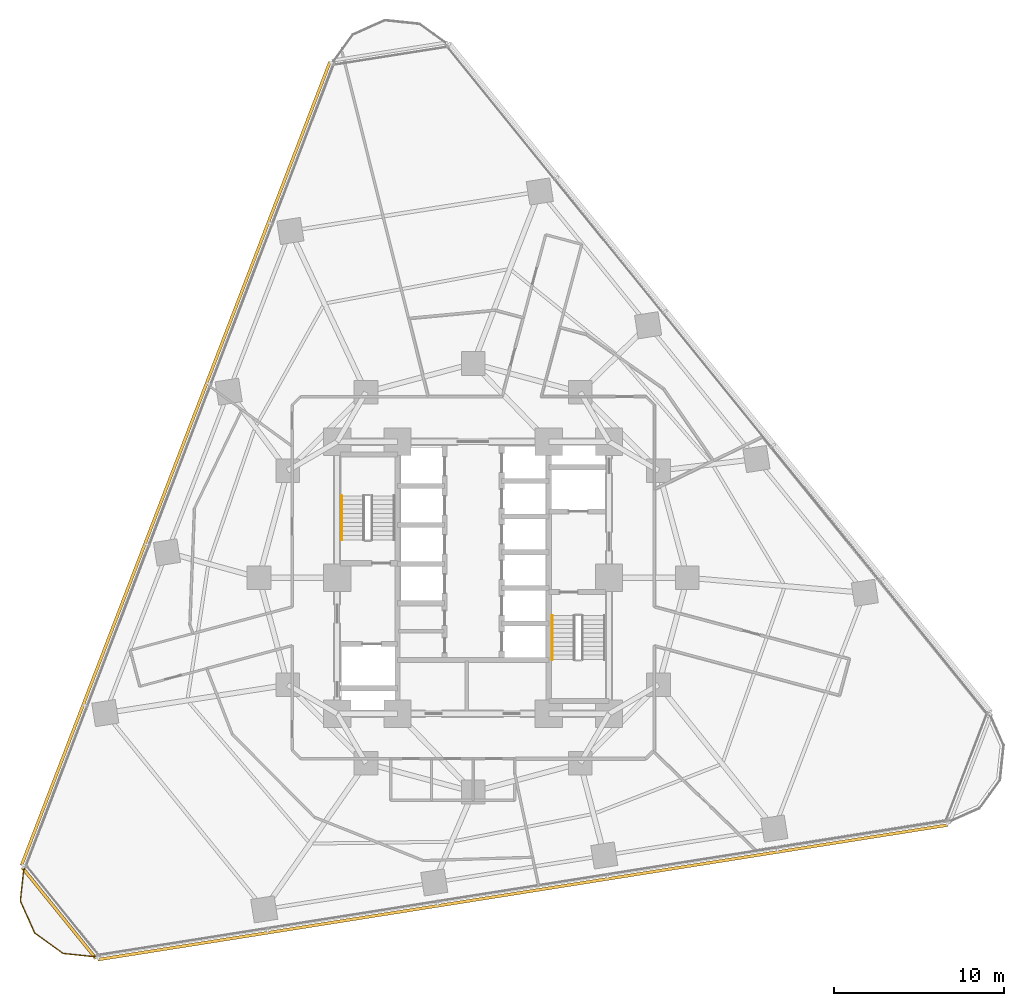
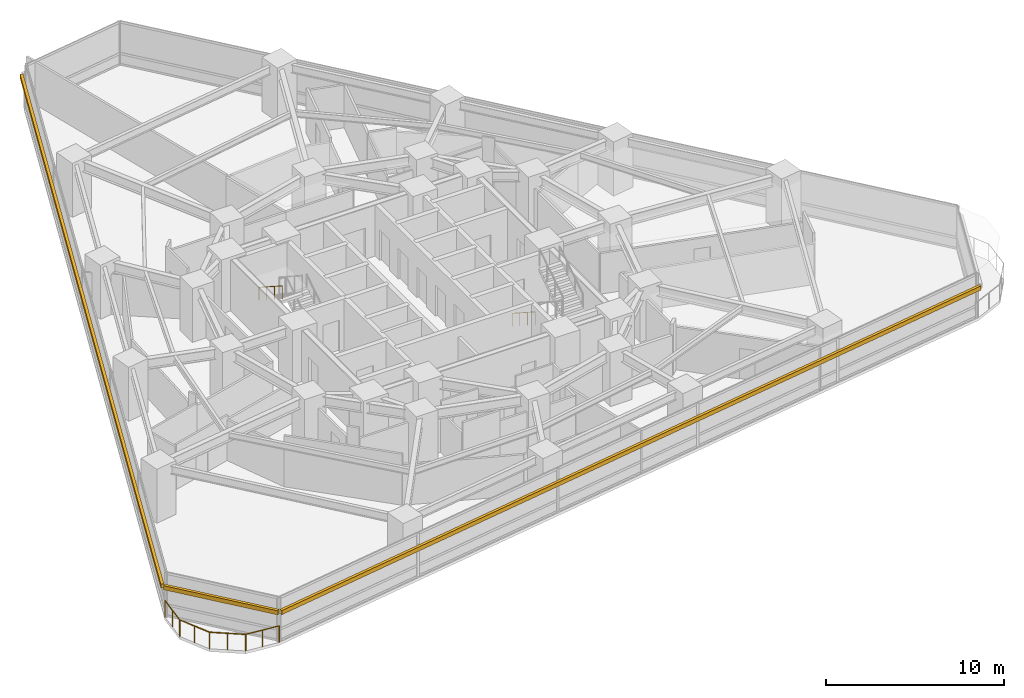
# One storey, part 12 of 14: 3 railings, 3 shading devices.
"""IFC4 building model written with IfcOpenShell, lengths in metres."""

from ifc_helpers import new_model, si_unit, direction, frame, origin, origin_2d, place, context, subcontext, project, spatial, rectangle, circle, extrude, material, layer, layer_set, type_object, element, save


model = new_model("IFC4")

# Units and contexts
model_context = context("Model", 3, precision=1e-05, world=origin(), true_north=direction((0.0, 1.0)))
body_context = subcontext(model_context, "Body", "Model", "MODEL_VIEW")
ifc_project = project(units=[si_unit("LENGTHUNIT", "METRE"), si_unit("AREAUNIT", "SQUARE_METRE"), si_unit("VOLUMEUNIT", "CUBIC_METRE"), si_unit("PLANEANGLEUNIT", "RADIAN"), si_unit("MASSUNIT", "GRAM", prefix="KILO")], contexts=[model_context])

# Site, building, storey
site_placement = place(None, origin())
site = spatial("IfcSite", under=ifc_project, at=site_placement, CompositionType="ELEMENT")
building_placement = place(site_placement, origin())
building = spatial("IfcBuilding", under=site, at=building_placement, Name="Terralouvre Media Tower", CompositionType="ELEMENT")
storey_placement = place(building_placement, frame((0.0, 0.0, 66.699951171875)))
storey = spatial("IfcBuildingStorey", under=building, at=storey_placement, Name="L16", CompositionType="ELEMENT", Elevation=66.699951171875)

# Railings
ifc_material_1 = material(Name="Stainless steel 316 handrail and balustrade", Category="steel")
ifc_layer_1 = layer(ifc_material_1, 0.06005859375, Name="Roof Edge Safety Guardrail GR-ROOF1")
ifc_layer_set_1 = layer_set([ifc_layer_1], Name="Stainless steel 316 handrail and balustrade")
railing_type_1 = type_object("IfcRailingType", Name="Roof Edge Safety Guardrail GR-ROOF1", PredefinedType="GUARDRAIL", material=ifc_layer_set_1)
railing_1_placement = place(storey_placement, frame((-26.424560546875, -16.965087890625, 0.0)))
element("IfcRailing", 1, at=railing_1_placement, inside=storey, type_object=railing_type_1, Name="L16 Wind-Corner Perimeter Safety Guardrail C0", PredefinedType="GUARDRAIL", context=body_context, shape_type="SweptSolid", body=[
    extrude(circle(Radius=0.02099609375, at=origin_2d()), frame((0.0, 0.0, 1.12890625), z_axis=(-0.104666273578, -0.994507401267, 0.0), x_axis=(0.994507401267, -0.104666273578, 0.0)), (0.0, 0.0, 1.0), 2.0595703125),
    extrude(circle(Radius=0.02099609375, at=origin_2d()), frame((-0.215576171875, -2.04833984375, 1.12890625), z_axis=(0.406644402356, -0.913586520278, 0.0), x_axis=(0.913586520278, 0.406644402356, 0.0)), (0.0, 0.0, 1.0), 2.059326171875),
    extrude(circle(Radius=0.02099609375, at=origin_2d()), frame((0.621826171875, -3.9296875, 1.12890625), z_axis=(0.809069210714, -0.587713375954, 0.0), x_axis=(0.587713375954, 0.809069210714, 0.0)), (0.0, 0.0, 1.0), 2.05908203125),
    extrude(circle(Radius=0.02099609375, at=origin_2d()), frame((2.287841796875, -5.139892578125, 1.12890625), z_axis=(0.994544355817, -0.104314545068, 0.0), x_axis=(0.104314545068, 0.994544355817, 0.0)), (0.0, 0.0, 1.0), 2.0595703125),
    extrude(circle(Radius=0.01904296875, at=origin_2d()), origin(), (0.0, 0.0, 1.0), 1.10791015625),
    extrude(circle(Radius=0.01904296875, at=origin_2d()), frame((-0.10791015625, -1.024169921875, 0.0)), (0.0, 0.0, 1.0), 1.10791015625),
    extrude(circle(Radius=0.01904296875, at=origin_2d()), frame((-0.215576171875, -2.04833984375, 0.0)), (0.0, 0.0, 1.0), 1.10791015625),
    extrude(circle(Radius=0.01904296875, at=origin_2d()), frame((0.203125, -2.989013671875, 0.0)), (0.0, 0.0, 1.0), 1.10791015625),
    extrude(circle(Radius=0.01904296875, at=origin_2d()), frame((0.621826171875, -3.9296875, 0.0)), (0.0, 0.0, 1.0), 1.10791015625),
    extrude(circle(Radius=0.01904296875, at=origin_2d()), frame((1.454833984375, -4.53466796875, 0.0)), (0.0, 0.0, 1.0), 1.10791015625),
    extrude(circle(Radius=0.01904296875, at=origin_2d()), frame((2.287841796875, -5.139892578125, 0.0)), (0.0, 0.0, 1.0), 1.10791015625),
    extrude(circle(Radius=0.01904296875, at=origin_2d()), frame((3.31201171875, -5.247314453125, 0.0)), (0.0, 0.0, 1.0), 1.10791015625),
    extrude(circle(Radius=0.01904296875, at=origin_2d()), frame((4.336181640625, -5.354736328125, 0.0)), (0.0, 0.0, 1.0), 1.10791015625),
])
ifc_material_2 = material(Name="Stainless steel 316 handrail and balustrade", Category="steel")
ifc_layer_2 = layer(ifc_material_2, 0.050048828125, Name="Stair Flight Wall Handrail HR-INT1")
ifc_layer_set_2 = layer_set([ifc_layer_2], Name="Stainless steel 316 handrail and balustrade")
railing_type_2 = type_object("IfcRailingType", Name="Stair Flight Wall Handrail HR-INT1", PredefinedType="HANDRAIL", material=ifc_layer_set_2)
railing_2_placement = place(storey_placement, frame((-7.72998046875, 4.820068359375, 2.018310546875)))
element("IfcRailing", 2, at=railing_2_placement, inside=storey, type_object=railing_type_2, Name="L16 ST-01 stair handrail 2", PredefinedType="HANDRAIL", context=body_context, shape_type="SweptSolid", body=[
    extrude(circle(Radius=0.02392578125, at=origin_2d()), frame((0.0, 0.0, 0.8759765625), z_axis=(0.0, -0.839684365666, 0.543074733399), x_axis=(1.0, 0.0, 0.0)), (0.0, 0.0, 1.0), 3.096435546875),
    extrude(circle(Radius=0.02099609375, at=origin_2d()), origin(), (0.0, 0.0, 1.0), 0.851806640625),
    extrude(circle(Radius=0.02099609375, at=origin_2d()), frame((0.0, -0.86669921875, 0.560546875)), (0.0, 0.0, 1.0), 0.851806640625),
    extrude(circle(Radius=0.02099609375, at=origin_2d()), frame((0.0, -1.7333984375, 1.12109375)), (0.0, 0.0, 1.0), 0.851806640625),
    extrude(circle(Radius=0.02099609375, at=origin_2d()), frame((0.0, -2.60009765625, 1.681640625)), (0.0, 0.0, 1.0), 0.851806640625),
])
railing_3_placement = place(storey_placement, frame((4.64990234375, -2.219970703125, 0.168212890625)))
element("IfcRailing", 3, at=railing_3_placement, inside=storey, type_object=railing_type_2, Name="L16 ST-02 stair handrail 1", PredefinedType="HANDRAIL", context=body_context, shape_type="SweptSolid", body=[
    extrude(circle(Radius=0.02392578125, at=origin_2d()), frame((0.0, 0.0, 0.8759765625), z_axis=(0.0, -0.839648411786, 0.543130320075), x_axis=(1.0, 0.0, 0.0)), (0.0, 0.0, 1.0), 3.0966796875),
    extrude(circle(Radius=0.02099609375, at=origin_2d()), origin(), (0.0, 0.0, 1.0), 0.851806640625),
    extrude(circle(Radius=0.02099609375, at=origin_2d()), frame((0.0, -0.86669921875, 0.560546875)), (0.0, 0.0, 1.0), 0.851806640625),
    extrude(circle(Radius=0.02099609375, at=origin_2d()), frame((0.0, -1.7333984375, 1.121337890625)), (0.0, 0.0, 1.0), 0.851806640625),
    extrude(circle(Radius=0.02099609375, at=origin_2d()), frame((0.0, -2.60009765625, 1.681884765625)), (0.0, 0.0, 1.0), 0.851806640625),
])

# Shading devices
ifc_material_3 = material(Name="Extruded terracotta baguette sunshade louvres", Category="masonry")
shading_device_type = type_object("IfcShadingDeviceType", Name="Terracotta Baguette Sunshade Louvre Screen TB-LV1", PredefinedType="USERDEFINED", material=ifc_material_3)
for number, where, z_axis, x_axis, name in (
    (4, (2.931396484375, -18.5078125, 2.02392578125), (0.0, 0.0, 1.0), (0.987688340934, 0.156434462903, 0.0), "CW-L16-F0 Terracotta Baguette Sunshade Louvre"),
    (5, (-17.493896484375, 6.71533203125, 2.02392578125), (0.0, 0.0, 1.0), (-0.358367917006, -0.933580438988, 0.0), "CW-L16-F2 Terracotta Baguette Sunshade Louvre"),
):
    element("IfcShadingDevice", number, at=place(storey_placement, frame(where, z_axis=z_axis, x_axis=x_axis)), inside=storey, type_object=shading_device_type, Name=name, ObjectType="BAGUETTE", PredefinedType="USERDEFINED", context=body_context, shape_type="SweptSolid", body=[
        extrude(rectangle(XDim=50.639892578125, YDim=0.179931640625, at=origin_2d()), origin(), (0.0, 0.0, 1.0), 0.280029296875),
    ])
shading_device_placement = place(storey_placement, frame((-24.361328125, -19.727294921875, 2.02392578125), z_axis=(0.0, 0.0, 1.0), x_axis=(0.629320031936, -0.777146252262, 0.0)))
element("IfcShadingDevice", 6, at=shading_device_placement, inside=storey, type_object=shading_device_type, Name="CW-L16-C0 Terracotta Baguette Sunshade Louvre", ObjectType="BAGUETTE", PredefinedType="USERDEFINED", context=body_context, shape_type="SweptSolid", body=[
    extrude(rectangle(XDim=6.8935546875, YDim=0.179931640625, at=origin_2d()), origin(), (0.0, 0.0, 1.0), 0.280029296875),
])

save(model, "model.ifc")
